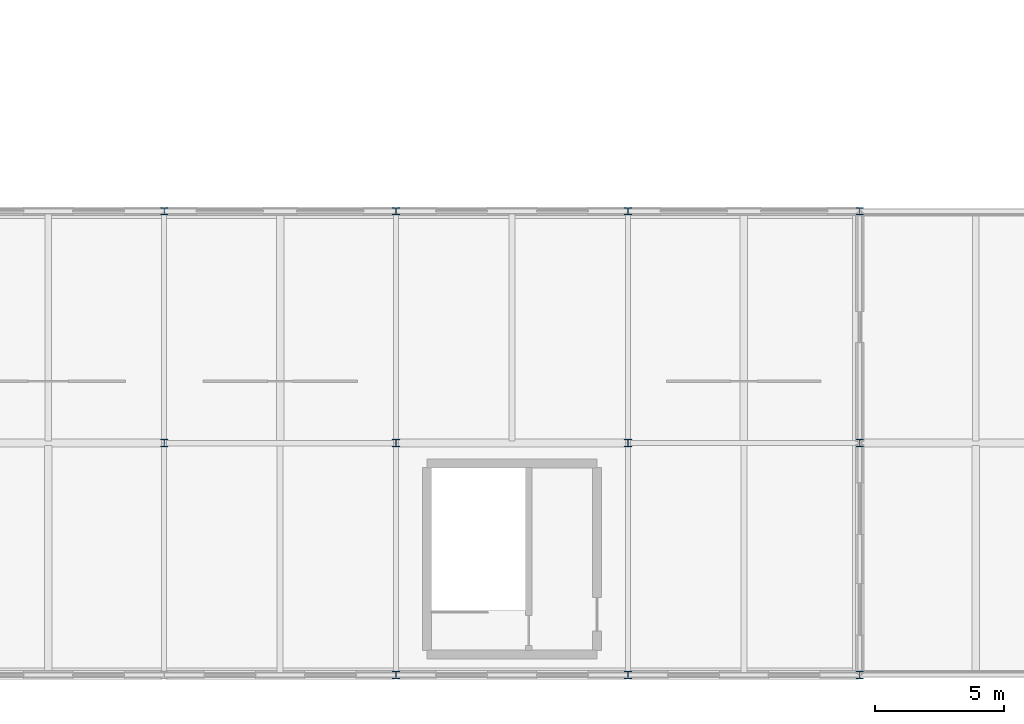
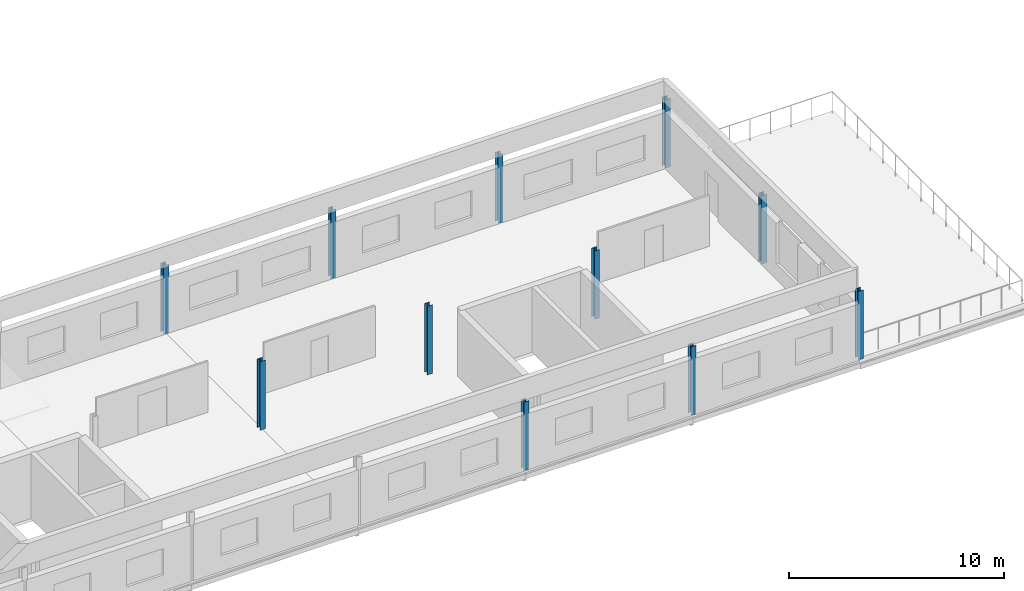
# One storey, part 5 of 18: 11 columns.
"""IFC4 building model written with IfcOpenShell, lengths in metres."""

from ifc_helpers import new_model, si_unit, direction, frame, origin, origin_2d, place, context, subcontext, project, spatial, i_section, extrude, material, material_profile, profile_set, type_object, element, save


model = new_model("IFC4")

# Units and contexts
model_context = context("Model", 3, precision=1e-05, world=origin(), true_north=direction((0.0, 1.0)))
body_context = subcontext(model_context, "Body", "Model", "MODEL_VIEW")
ifc_project = project(units=[si_unit("LENGTHUNIT", "METRE"), si_unit("AREAUNIT", "SQUARE_METRE"), si_unit("VOLUMEUNIT", "CUBIC_METRE"), si_unit("PLANEANGLEUNIT", "RADIAN"), si_unit("MASSUNIT", "GRAM", prefix="KILO")], contexts=[model_context])

# Site, building, storey
site_placement = place(None, origin())
site = spatial("IfcSite", under=ifc_project, at=site_placement, CompositionType="ELEMENT")
building_placement = place(site_placement, origin())
building = spatial("IfcBuilding", under=site, at=building_placement, Name="Kildeholm Park Wholesale Market", CompositionType="ELEMENT")
storey_placement = place(building_placement, frame((0.0, 0.0, 13.5)))
storey = spatial("IfcBuildingStorey", under=building, at=storey_placement, Name="L03", CompositionType="ELEMENT", Elevation=13.5)

# Columns
ifc_material = material(Name="Steel S355", Category="steel")
ifc_material_profile = material_profile(ifc_material, i_section(OverallWidth=0.280029296875, OverallDepth=0.280029296875, WebThickness=0.010498046875, FlangeThickness=0.01806640625, FilletRadius=0.02392578125, at=origin_2d()), Name="HEB 280")
ifc_profile_set = profile_set([ifc_material_profile], Name="Steel S355")
column_type = type_object("IfcColumnType", Name="Column C-S02 HEB 280", PredefinedType="COLUMN", material=ifc_profile_set)
for number, where, z_axis, x_axis, name in (
    (1, (162.0, 9.0, 0.0), (0.0, 0.0, 1.0), (1.0, 0.0, 0.0), "Column V5E-162-009 L03 COL-0820"),
    (2, (162.0, 18.0, 0.0), (0.0, 0.0, 1.0), (1.0, 0.0, 0.0), "Column V5E-162-018 L03 COL-0824"),
    (3, (171.0, 0.0, 0.0), (0.0, 0.0, 1.0), (1.0, 0.0, 0.0), "Column V5E-171-000 L03 COL-0830"),
    (4, (171.0, 9.0, 0.0), (0.0, 0.0, 1.0), (1.0, 0.0, 0.0), "Column V5E-171-009 L03 COL-0834"),
    (5, (171.0, 18.0, 0.0), (0.0, 0.0, 1.0), (1.0, 0.0, 0.0), "Column V5E-171-018 L03 COL-0838"),
    (6, (180.0, 0.0, 0.0), (0.0, 0.0, 1.0), (1.0, 0.0, 0.0), "Column V5E-180-000 L03 COL-0844"),
    (7, (180.0, 9.0, 0.0), (0.0, 0.0, 1.0), (1.0, 0.0, 0.0), "Column V5E-180-009 L03 COL-0848"),
    (8, (180.0, 18.0, 0.0), (0.0, 0.0, 1.0), (1.0, 0.0, 0.0), "Column V5E-180-018 L03 COL-0852"),
    (9, (189.0, 0.0, 0.0), (0.0, 0.0, 1.0), (1.0, 0.0, 0.0), "Column V5E-189-000 L03 COL-0858"),
    (10, (189.0, 9.0, 0.0), (0.0, 0.0, 1.0), (1.0, 0.0, 0.0), "Column V5E-189-009 L03 COL-0862"),
    (11, (189.0, 18.0, 0.0), (0.0, 0.0, 1.0), (1.0, 0.0, 0.0), "Column V5E-189-018 L03 COL-0866"),
):
    element("IfcColumn", number, at=place(storey_placement, frame(where, z_axis=z_axis, x_axis=x_axis)), inside=storey, type_object=column_type, Name=name, PredefinedType="COLUMN", context=body_context, shape_type="SweptSolid", body=[
        extrude(i_section(OverallWidth=0.280029296875, OverallDepth=0.280029296875, WebThickness=0.010498046875, FlangeThickness=0.01806640625, FilletRadius=0.02392578125, at=origin_2d()), origin(), (0.0, 0.0, 1.0), 3.89990234375),
    ])

save(model, "model.ifc")
